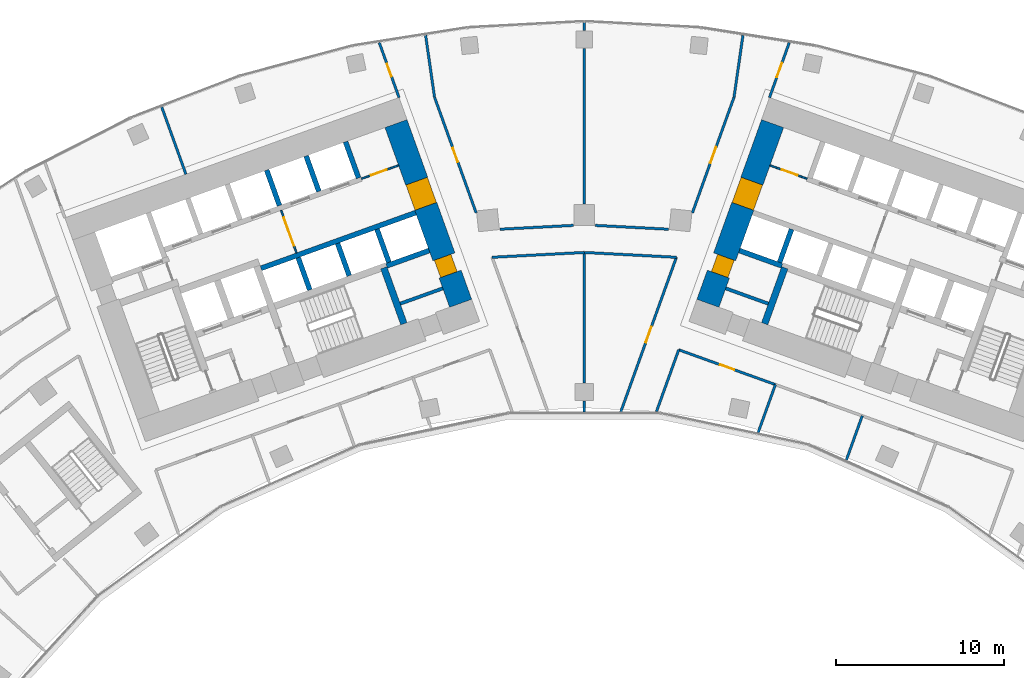
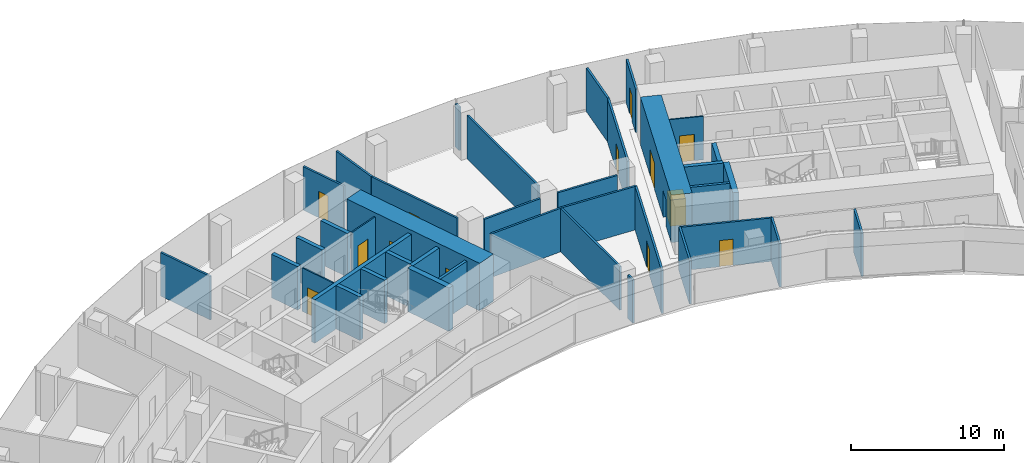
# One storey, part 15 of 20: 39 walls, 13 doors, 13 openings.
"""IFC4 building model written with IfcOpenShell, lengths in metres."""

from ifc_helpers import new_model, si_unit, direction, frame, frame_2d, origin, place, context, subcontext, project, spatial, rectangle, extrude, material, layer, layer_set, type_object, element, fill, save


model = new_model("IFC4")

# Units and contexts
model_context = context("Model", 3, precision=1e-05, world=origin(), true_north=direction((0.0, 1.0)))
body_context = subcontext(model_context, "Body", "Model", "MODEL_VIEW")
ifc_project = project(units=[si_unit("LENGTHUNIT", "METRE"), si_unit("AREAUNIT", "SQUARE_METRE"), si_unit("VOLUMEUNIT", "CUBIC_METRE"), si_unit("PLANEANGLEUNIT", "RADIAN"), si_unit("MASSUNIT", "GRAM", prefix="KILO")], contexts=[model_context])

# Site, building, storey
site_placement = place(None, origin())
site = spatial("IfcSite", under=ifc_project, at=site_placement, CompositionType="ELEMENT")
building_placement = place(site_placement, origin())
building = spatial("IfcBuilding", under=site, at=building_placement, Name="Stone Belt Terrace Tower", CompositionType="ELEMENT")
storey_placement = place(building_placement, frame((0.0, 0.0, 147.800048828125)))
storey = spatial("IfcBuildingStorey", under=building, at=storey_placement, Name="L35", CompositionType="ELEMENT", Elevation=147.800048828125)

# Wall, opening, door
ifc_material_1 = material(Name="Plasterboard partition")
ifc_layer_1 = layer(ifc_material_1, 0.10009765625)
ifc_layer_set_1 = layer_set([ifc_layer_1], Name="Core partition 100")
wall_type_1 = type_object("IfcWallType", Name="Core partition 100", PredefinedType="PARTITIONING", material=ifc_layer_set_1)
wall_1_placement = place(storey_placement, frame((-17.17724609375, 52.749755859375, 0.0), z_axis=(0.0, 0.0, 1.0), x_axis=(-0.338546555931, 0.940949642365, 0.0)))
wall_1 = element("IfcWall", 1, at=wall_1_placement, inside=storey, type_object=wall_type_1, Name="Core A wall", PredefinedType="PARTITIONING", context=body_context, shape_type="SweptSolid", body=[
    extrude(rectangle(XDim=2.699951171875, YDim=0.10009765625, at=frame_2d((1.35009765625, 0.0))), origin(), (0.0, 0.0, 1.0), 3.47998046875),
])
opening_1_placement = place(wall_1_placement, frame((0.449951171875, 0.0, 0.0)))
opening_1 = element("IfcOpeningElement", 2, at=opening_1_placement, cuts=wall_1, Name="Opening L35-C04", PredefinedType="OPENING", context=body_context, shape_type="SweptSolid", body=[
    extrude(rectangle(XDim=1.800048828125, YDim=2.10009765625, at=frame_2d((0.89990234375, 1.050048828125))), frame((0.0, 0.06005859375, 0.0), z_axis=(0.0, -1.0, 0.0), x_axis=(1.0, 0.0, 0.0)), (0.0, 0.0, 1.0), 0.1201171875),
])
ifc_material_2 = material(Name="Glazed aluminium door leaf", Category="aluminium")
door_type_1 = type_object("IfcDoorType", Name="Lift lobby entrance door 1800", OperationType="DOUBLE_DOOR_SINGLE_SWING", PredefinedType="DOOR", material=ifc_material_2)
door_1_placement = place(opening_1_placement, origin())
door_1 = element("IfcDoor", 3, at=door_1_placement, inside=storey, type_object=door_type_1, Name="Lift lobby double door core A", OperationType="DOUBLE_DOOR_SINGLE_SWING", OverallHeight=2.10009765625, OverallWidth=1.800048828125, PredefinedType="DOOR", context=body_context, shape_type="SweptSolid", body=[
    extrude(rectangle(XDim=1.800048828125, YDim=2.10009765625, at=frame_2d((0.89990234375, 1.050048828125))), frame((0.0, 0.02490234375, 0.0), z_axis=(0.0, -1.0, 0.0), x_axis=(1.0, 0.0, 0.0)), (0.0, 0.0, 1.0), 0.050048828125),
])
fill(opening_1, door_1)

wall_2_placement = place(storey_placement, frame((-13.29638671875, 57.17529296875, 0.0), z_axis=(0.0, 0.0, 1.0), x_axis=(0.940904627055, 0.338671644496, 0.0)))
wall_2 = element("IfcWall", 4, at=wall_2_placement, inside=storey, type_object=wall_type_1, Name="Core A wall", PredefinedType="PARTITIONING", context=body_context, shape_type="SweptSolid", body=[
    extrude(rectangle(XDim=2.35009765625, YDim=0.10009765625, at=frame_2d((1.175048828125, 0.0))), origin(), (0.0, 0.0, 1.0), 3.47998046875),
])
opening_2_placement = place(wall_2_placement, frame((0.60009765625, 0.0, 0.0)))
opening_2 = element("IfcOpeningElement", 5, at=opening_2_placement, cuts=wall_2, Name="Opening L35-C01", PredefinedType="OPENING", context=body_context, shape_type="SweptSolid", body=[
    extrude(rectangle(XDim=1.0, YDim=2.10009765625, at=frame_2d((0.5, 1.050048828125))), frame((0.0, 0.06005859375, 0.0), z_axis=(0.0, -1.0, 0.0), x_axis=(1.0, 0.0, 0.0)), (0.0, 0.0, 1.0), 0.1201171875),
])
ifc_material_3 = material(Name="Timber door leaf", Category="wood")
door_type_2 = type_object("IfcDoorType", Name="Core room door 1000", OperationType="SINGLE_SWING_LEFT", PredefinedType="DOOR", material=ifc_material_3)
door_2_placement = place(opening_2_placement, origin())
door_2 = element("IfcDoor", 6, at=door_2_placement, inside=storey, type_object=door_type_2, Name="Door to Ventilation plant room core A", OperationType="SINGLE_SWING_LEFT", OverallHeight=2.10009765625, OverallWidth=1.0, PredefinedType="DOOR", context=body_context, shape_type="SweptSolid", body=[
    extrude(rectangle(XDim=1.0, YDim=2.10009765625, at=frame_2d((0.5, 1.050048828125))), frame((0.0, 0.02490234375, 0.0), z_axis=(0.0, -1.0, 0.0), x_axis=(1.0, 0.0, 0.0)), (0.0, 0.0, 1.0), 0.050048828125),
])
fill(opening_2, door_2)

wall_3_placement = place(storey_placement, frame((13.29638671875, 57.17529296875, 0.0), z_axis=(0.0, 0.0, 1.0), x_axis=(-0.940904627055, 0.338671644496, 0.0)))
wall_3 = element("IfcWall", 7, at=wall_3_placement, inside=storey, type_object=wall_type_1, Name="Core B wall", PredefinedType="PARTITIONING", context=body_context, shape_type="SweptSolid", body=[
    extrude(rectangle(XDim=2.35009765625, YDim=0.10009765625, at=frame_2d((1.175048828125, 0.0))), origin(), (0.0, 0.0, 1.0), 3.47998046875),
])
opening_3_placement = place(wall_3_placement, frame((0.60009765625, 0.0, 0.0)))
opening_3 = element("IfcOpeningElement", 8, at=opening_3_placement, cuts=wall_3, Name="Opening L35-C13", PredefinedType="OPENING", context=body_context, shape_type="SweptSolid", body=[
    extrude(rectangle(XDim=1.0, YDim=2.10009765625, at=frame_2d((0.5, 1.050048828125))), frame((0.0, 0.06005859375, 0.0), z_axis=(0.0, -1.0, 0.0), x_axis=(1.0, 0.0, 0.0)), (0.0, 0.0, 1.0), 0.1201171875),
])
door_3_placement = place(opening_3_placement, origin())
door_3 = element("IfcDoor", 9, at=door_3_placement, inside=storey, type_object=door_type_2, Name="Door to Ventilation plant room core B", OperationType="SINGLE_SWING_RIGHT", OverallHeight=2.10009765625, OverallWidth=1.0, PredefinedType="DOOR", context=body_context, shape_type="SweptSolid", body=[
    extrude(rectangle(XDim=1.0, YDim=2.10009765625, at=frame_2d((0.5, 1.050048828125))), frame((0.0, 0.02490234375, 0.0), z_axis=(0.0, -1.0, 0.0), x_axis=(1.0, 0.0, 0.0)), (0.0, 0.0, 1.0), 0.050048828125),
])
fill(opening_3, door_3)

# Wall, openings, doors
ifc_material_4 = material(Name="Concrete B80", Category="concrete")
ifc_layer_2 = layer(ifc_material_4, 1.39990234375)
ifc_layer_set_2 = layer_set([ifc_layer_2], Name="Core wall 1400 B80")
wall_type_2 = type_object("IfcWallType", Name="Core wall 1400 B80", PredefinedType="SHEAR", material=ifc_layer_set_2)
wall_4_placement = place(storey_placement, frame((-7.379150390625, 49.73974609375, 0.0), z_axis=(0.0, 0.0, 1.0), x_axis=(-0.338625431531, 0.940921259788, 0.0)))
wall_4 = element("IfcWall", 10, at=wall_4_placement, inside=storey, type_object=wall_type_2, Name="Core A wall end_b L35", PredefinedType="SHEAR", context=body_context, shape_type="SweptSolid", body=[
    extrude(rectangle(XDim=11.400146484375, YDim=1.39990234375, at=frame_2d((5.7001953125, 0.0))), origin(), (0.0, 0.0, 1.0), 3.800048828125),
])
opening_4_placement = place(wall_4_placement, frame((6.14990234375, 0.0, 0.0)))
opening_4 = element("IfcOpeningElement", 11, at=opening_4_placement, cuts=wall_4, Name="Opening L35-C05", PredefinedType="OPENING", context=body_context, shape_type="SweptSolid", body=[
    extrude(rectangle(XDim=1.60009765625, YDim=2.10009765625, at=frame_2d((0.800048828125, 1.050048828125))), frame((0.0, 0.7099609375, 0.0), z_axis=(0.0, -1.0, 0.0), x_axis=(1.0, 0.0, 0.0)), (0.0, 0.0, 1.0), 1.419921875),
])
opening_5_placement = place(wall_4_placement, frame((1.85009765625, 0.0, 0.0)))
opening_5 = element("IfcOpeningElement", 12, at=opening_5_placement, cuts=wall_4, Name="Opening L35-C11", PredefinedType="OPENING", context=body_context, shape_type="SweptSolid", body=[
    extrude(rectangle(XDim=1.10009765625, YDim=2.10009765625, at=frame_2d((0.550048828125, 1.050048828125))), frame((0.0, 0.7099609375, 0.0), z_axis=(0.0, -1.0, 0.0), x_axis=(1.0, 0.0, 0.0)), (0.0, 0.0, 1.0), 1.419921875),
])
door_type_3 = type_object("IfcDoorType", Name="Core room door 1100", OperationType="SINGLE_SWING_LEFT", PredefinedType="DOOR", material=ifc_material_3)
door_4_placement = place(opening_5_placement, origin())
door_4 = element("IfcDoor", 13, at=door_4_placement, inside=storey, type_object=door_type_3, Name="Door to Accessible WC core A", OperationType="SINGLE_SWING_RIGHT", OverallHeight=2.10009765625, OverallWidth=1.10009765625, PredefinedType="DOOR", context=body_context, shape_type="SweptSolid", body=[
    extrude(rectangle(XDim=1.10009765625, YDim=2.10009765625, at=frame_2d((0.550048828125, 1.050048828125))), frame((0.0, 0.60498046875, 0.0), z_axis=(0.0, -1.0, 0.0), x_axis=(1.0, 0.0, 0.0)), (0.0, 0.0, 1.0), 1.050048828125),
])
fill(opening_5, door_4)
door_type_4 = type_object("IfcDoorType", Name="Lift lobby entrance door 1600", OperationType="DOUBLE_DOOR_SINGLE_SWING", PredefinedType="DOOR", material=ifc_material_2)
door_5_placement = place(opening_4_placement, origin())
door_5 = element("IfcDoor", 14, at=door_5_placement, inside=storey, type_object=door_type_4, Name="Lift lobby entrance door core A", OperationType="DOUBLE_DOOR_SINGLE_SWING", OverallHeight=2.10009765625, OverallWidth=1.60009765625, PredefinedType="DOOR", context=body_context, shape_type="SweptSolid", body=[
    extrude(rectangle(XDim=1.60009765625, YDim=2.10009765625, at=frame_2d((0.800048828125, 1.050048828125))), frame((0.0, 0.68017578125, 0.0), z_axis=(0.0, -1.0, 0.0), x_axis=(1.0, 0.0, 0.0)), (0.0, 0.0, 1.0), 1.360107421875),
])
fill(opening_4, door_5)

wall_5_placement = place(storey_placement, frame((7.379150390625, 49.73974609375, 0.0), z_axis=(0.0, 0.0, 1.0), x_axis=(0.338625431531, 0.940921259788, 0.0)))
wall_5 = element("IfcWall", 15, at=wall_5_placement, inside=storey, type_object=wall_type_2, Name="Core B wall end_a L35", PredefinedType="SHEAR", context=body_context, shape_type="SweptSolid", body=[
    extrude(rectangle(XDim=11.400146484375, YDim=1.39990234375, at=frame_2d((5.7001953125, 0.0))), origin(), (0.0, 0.0, 1.0), 3.800048828125),
])
opening_6_placement = place(wall_5_placement, frame((6.14990234375, 0.0, 0.0)))
opening_6 = element("IfcOpeningElement", 16, at=opening_6_placement, cuts=wall_5, Name="Opening L35-C17", PredefinedType="OPENING", context=body_context, shape_type="SweptSolid", body=[
    extrude(rectangle(XDim=1.60009765625, YDim=2.10009765625, at=frame_2d((0.800048828125, 1.050048828125))), frame((0.0, 0.7099609375, 0.0), z_axis=(0.0, -1.0, 0.0), x_axis=(1.0, 0.0, 0.0)), (0.0, 0.0, 1.0), 1.419921875),
])
opening_7_placement = place(wall_5_placement, frame((1.85009765625, 0.0, 0.0)))
opening_7 = element("IfcOpeningElement", 17, at=opening_7_placement, cuts=wall_5, Name="Opening L35-C23", PredefinedType="OPENING", context=body_context, shape_type="SweptSolid", body=[
    extrude(rectangle(XDim=1.10009765625, YDim=2.10009765625, at=frame_2d((0.550048828125, 1.050048828125))), frame((0.0, 0.7099609375, 0.0), z_axis=(0.0, -1.0, 0.0), x_axis=(1.0, 0.0, 0.0)), (0.0, 0.0, 1.0), 1.419921875),
])
door_6_placement = place(opening_7_placement, origin())
door_6 = element("IfcDoor", 18, at=door_6_placement, inside=storey, type_object=door_type_3, Name="Door to Accessible WC core B", OperationType="SINGLE_SWING_LEFT", OverallHeight=2.10009765625, OverallWidth=1.10009765625, PredefinedType="DOOR", context=body_context, shape_type="SweptSolid", body=[
    extrude(rectangle(XDim=1.10009765625, YDim=2.10009765625, at=frame_2d((0.550048828125, 1.050048828125))), frame((0.0, 0.44482421875, 0.0), z_axis=(0.0, -1.0, 0.0), x_axis=(1.0, 0.0, 0.0)), (0.0, 0.0, 1.0), 1.050048828125),
])
fill(opening_7, door_6)
door_7_placement = place(opening_6_placement, origin())
door_7 = element("IfcDoor", 19, at=door_7_placement, inside=storey, type_object=door_type_4, Name="Lift lobby entrance door core B", OperationType="DOUBLE_DOOR_SINGLE_SWING", OverallHeight=2.10009765625, OverallWidth=1.60009765625, PredefinedType="DOOR", context=body_context, shape_type="SweptSolid", body=[
    extrude(rectangle(XDim=1.60009765625, YDim=2.10009765625, at=frame_2d((0.800048828125, 1.050048828125))), frame((0.0, 0.68017578125, 0.0), z_axis=(0.0, -1.0, 0.0), x_axis=(1.0, 0.0, 0.0)), (0.0, 0.0, 1.0), 1.360107421875),
])
fill(opening_6, door_7)

# Walls
ifc_layer_3 = layer(ifc_material_4, 0.300048828125)
ifc_layer_set_3 = layer_set([ifc_layer_3], Name="Lift shaft wall 300")
wall_type_3 = type_object("IfcWallType", Name="Lift shaft wall 300", PredefinedType="SHEAR", material=ifc_layer_set_3)
wall_6_placement = place(storey_placement, frame((-19.29052734375, 51.829833984375, 0.0), z_axis=(0.0, 0.0, 1.0), x_axis=(0.940925833398, 0.338612722803, 0.0)))
element("IfcWall", 20, at=wall_6_placement, inside=storey, type_object=wall_type_3, Name="Core A wall", PredefinedType="SHEAR", context=body_context, shape_type="SweptSolid", body=[
    extrude(rectangle(XDim=9.7998046875, YDim=0.300048828125, at=frame_2d((4.89990234375, 0.0))), origin(), (0.0, 0.0, 1.0), 3.47998046875),
])
wall_7_placement = place(storey_placement, frame((-16.38134765625, 50.53857421875, 0.0), z_axis=(0.0, 0.0, 1.0), x_axis=(-0.338681515556, 0.940901073982, 0.0)))
element("IfcWall", 21, at=wall_7_placement, inside=storey, type_object=wall_type_3, Name="Core A wall", PredefinedType="SHEAR", context=body_context, shape_type="SweptSolid", body=[
    extrude(rectangle(XDim=2.050048828125, YDim=0.300048828125, at=frame_2d((1.02490234375, 0.0))), origin(), (0.0, 0.0, 1.0), 3.47998046875),
])
wall_8_placement = place(storey_placement, frame((-18.193115234375, 55.572509765625, 0.0), z_axis=(0.0, 0.0, 1.0), x_axis=(-0.338535034312, 0.940953787677, 0.0)))
element("IfcWall", 22, at=wall_8_placement, inside=storey, type_object=wall_type_3, Name="Core A wall", PredefinedType="SHEAR", context=body_context, shape_type="SweptSolid", body=[
    extrude(rectangle(XDim=2.25, YDim=0.300048828125, at=frame_2d((1.125, 0.0))), origin(), (0.0, 0.0, 1.0), 3.47998046875),
])
wall_9_placement = place(storey_placement, frame((-14.029052734375, 51.38525390625, 0.0), z_axis=(0.0, 0.0, 1.0), x_axis=(-0.338681515556, 0.940901073982, 0.0)))
element("IfcWall", 23, at=wall_9_placement, inside=storey, type_object=wall_type_3, Name="Core A wall", PredefinedType="SHEAR", context=body_context, shape_type="SweptSolid", body=[
    extrude(rectangle(XDim=2.050048828125, YDim=0.300048828125, at=frame_2d((1.02490234375, 0.0))), origin(), (0.0, 0.0, 1.0), 3.47998046875),
])
wall_10_placement = place(storey_placement, frame((-15.8408203125, 56.419189453125, 0.0), z_axis=(0.0, 0.0, 1.0), x_axis=(-0.338569601369, 0.940941350472, 0.0)))
element("IfcWall", 24, at=wall_10_placement, inside=storey, type_object=wall_type_3, Name="Core A wall", PredefinedType="SHEAR", context=body_context, shape_type="SweptSolid", body=[
    extrude(rectangle(XDim=2.249755859375, YDim=0.300048828125, at=frame_2d((1.125, 0.0))), origin(), (0.0, 0.0, 1.0), 3.47998046875),
])
wall_11_placement = place(storey_placement, frame((-11.797119140625, 51.975830078125, 0.0), z_axis=(0.0, 0.0, 1.0), x_axis=(0.940910465161, 0.33865542451, 0.0)))
element("IfcWall", 25, at=wall_11_placement, inside=storey, type_object=wall_type_3, Name="Core A wall", PredefinedType="SHEAR", context=body_context, shape_type="SweptSolid", body=[
    extrude(rectangle(XDim=2.69970703125, YDim=0.300048828125, at=frame_2d((1.349853515625, 0.0))), origin(), (0.0, 0.0, 1.0), 3.47998046875),
])
wall_12_placement = place(storey_placement, frame((-11.659912109375, 52.184814453125, 0.0), z_axis=(0.0, 0.0, 1.0), x_axis=(-0.338670064856, 0.940905195634, 0.0)))
element("IfcWall", 26, at=wall_12_placement, inside=storey, type_object=wall_type_3, Name="Core A wall", PredefinedType="SHEAR", context=body_context, shape_type="SweptSolid", body=[
    extrude(rectangle(XDim=2.099853515625, YDim=0.300048828125, at=frame_2d((1.0498046875, 0.0))), origin(), (0.0, 0.0, 1.0), 3.47998046875),
])
wall_13_placement = place(storey_placement, frame((-13.471435546875, 57.218505859375, 0.0), z_axis=(0.0, 0.0, 1.0), x_axis=(-0.338587917, 0.940934759939, 0.0)))
element("IfcWall", 27, at=wall_13_placement, inside=storey, type_object=wall_type_3, Name="Core A wall", PredefinedType="SHEAR", context=body_context, shape_type="SweptSolid", body=[
    extrude(rectangle(XDim=2.300048828125, YDim=0.300048828125, at=frame_2d((1.14990234375, 0.0))), origin(), (0.0, 0.0, 1.0), 3.47998046875),
])
wall_14_placement = place(storey_placement, frame((11.797119140625, 51.975830078125, 0.0), z_axis=(0.0, 0.0, 1.0), x_axis=(-0.940910465161, 0.33865542451, 0.0)))
element("IfcWall", 28, at=wall_14_placement, inside=storey, type_object=wall_type_3, Name="Core B wall", PredefinedType="SHEAR", context=body_context, shape_type="SweptSolid", body=[
    extrude(rectangle(XDim=2.69970703125, YDim=0.300048828125, at=frame_2d((1.349853515625, 0.0))), origin(), (0.0, 0.0, 1.0), 3.47998046875),
])
wall_15_placement = place(storey_placement, frame((11.659912109375, 52.184814453125, 0.0), z_axis=(0.0, 0.0, 1.0), x_axis=(0.338670064856, 0.940905195634, 0.0)))
element("IfcWall", 29, at=wall_15_placement, inside=storey, type_object=wall_type_3, Name="Core B wall", PredefinedType="SHEAR", context=body_context, shape_type="SweptSolid", body=[
    extrude(rectangle(XDim=2.099853515625, YDim=0.300048828125, at=frame_2d((1.0498046875, 0.0))), origin(), (0.0, 0.0, 1.0), 3.47998046875),
])

# Wall, opening, door
ifc_material_5 = material(Name="Gypsum board partition")
ifc_layer_4 = layer(ifc_material_5, 0.14990234375)
ifc_layer_set_4 = layer_set([ifc_layer_4], Name="PARTITION 150 EI 60")
wall_type_4 = type_object("IfcWallType", Name="PARTITION 150 EI 60", PredefinedType="PARTITIONING", material=ifc_layer_set_4)
wall_16_placement = place(storey_placement, frame((-11.054931640625, 62.02099609375, 0.0), z_axis=(0.0, 0.0, 1.0), x_axis=(-0.338942963923, 0.940806923448, 0.0)))
wall_16 = element("IfcWall", 30, at=wall_16_placement, inside=storey, type_object=wall_type_4, Name="L35/wall/i008", PredefinedType="PARTITIONING", context=body_context, shape_type="SweptSolid", body=[
    extrude(rectangle(XDim=3.481201171875, YDim=0.14990234375, at=frame_2d((1.74072265625, 0.0))), origin(), (0.0, 0.0, 1.0), 3.47998046875),
])
opening_8_placement = place(wall_16_placement, frame((1.340576171875, 0.0, 0.0)))
opening_8 = element("IfcOpeningElement", 31, at=opening_8_placement, cuts=wall_16, Name="Opening D-C1-06", PredefinedType="OPENING", context=body_context, shape_type="SweptSolid", body=[
    extrude(rectangle(XDim=0.800048828125, YDim=2.10009765625, at=frame_2d((0.39990234375, 1.050048828125))), frame((0.0, 0.0849609375, 0.0), z_axis=(0.0, -1.0, 0.0), x_axis=(1.0, 0.0, 0.0)), (0.0, 0.0, 1.0), 0.169921875),
])
door_type_5 = type_object("IfcDoorType", Name="STORE DOOR 800 X 2100", OperationType="NOTDEFINED", PredefinedType="DOOR", material=ifc_material_3)
door_8_placement = place(opening_8_placement, origin())
door_8 = element("IfcDoor", 32, at=door_8_placement, inside=storey, type_object=door_type_5, Name="L35/door/i06", OperationType="SINGLE_SWING_RIGHT", OverallHeight=2.10009765625, OverallWidth=0.800048828125, PredefinedType="DOOR", context=body_context, shape_type="SweptSolid", body=[
    extrude(rectangle(XDim=0.800048828125, YDim=2.10009765625, at=frame_2d((0.39990234375, 1.050048828125))), frame((0.0, 0.02490234375, 0.0), z_axis=(0.0, -1.0, 0.0), x_axis=(1.0, 0.0, 0.0)), (0.0, 0.0, 1.0), 0.050048828125),
])
fill(opening_8, door_8)

# Wall
wall_17_placement = place(storey_placement, frame((-9.47021484375, 65.736083984375, 0.0), z_axis=(0.0, 0.0, 1.0), x_axis=(0.14267653425, -0.989769370396, 0.0)))
element("IfcWall", 33, at=wall_17_placement, inside=storey, type_object=wall_type_4, Name="L35/wall/i010", PredefinedType="PARTITIONING", context=body_context, shape_type="SweptSolid", body=[
    extrude(rectangle(XDim=3.730224609375, YDim=0.14990234375, at=frame_2d((1.865234375, 0.0))), origin(), (0.0, 0.0, 1.0), 3.47998046875),
])

# Wall, opening, door
wall_18_placement = place(storey_placement, frame((-8.93798828125, 62.04296875, 0.0), z_axis=(0.0, 0.0, 1.0), x_axis=(0.338603971116, -0.940928982838, 0.0)))
wall_18 = element("IfcWall", 34, at=wall_18_placement, inside=storey, type_object=wall_type_4, Name="L35/wall/i011", PredefinedType="PARTITIONING", context=body_context, shape_type="SweptSolid", body=[
    extrude(rectangle(XDim=7.335693359375, YDim=0.14990234375, at=frame_2d((3.66796875, 0.0))), origin(), (0.0, 0.0, 1.0), 3.47998046875),
])
opening_9_placement = place(wall_18_placement, frame((3.218017578125, 0.0, 0.0)))
opening_9 = element("IfcOpeningElement", 35, at=opening_9_placement, cuts=wall_18, Name="Opening D-C1-28", PredefinedType="OPENING", context=body_context, shape_type="SweptSolid", body=[
    extrude(rectangle(XDim=0.89990234375, YDim=2.10009765625, at=frame_2d((0.449951171875, 1.050048828125))), frame((0.0, 0.0849609375, 0.0), z_axis=(0.0, -1.0, 0.0), x_axis=(1.0, 0.0, 0.0)), (0.0, 0.0, 1.0), 0.169921875),
])
door_type_6 = type_object("IfcDoorType", Name="OFFICE DOOR 900 X 2100", OperationType="NOTDEFINED", PredefinedType="DOOR", material=ifc_material_3)
door_9_placement = place(opening_9_placement, origin())
door_9 = element("IfcDoor", 36, at=door_9_placement, inside=storey, type_object=door_type_6, Name="L35/door/i28", OperationType="SINGLE_SWING_RIGHT", OverallHeight=2.10009765625, OverallWidth=0.89990234375, PredefinedType="DOOR", context=body_context, shape_type="SweptSolid", body=[
    extrude(rectangle(XDim=0.89990234375, YDim=2.10009765625, at=frame_2d((0.449951171875, 1.050048828125))), frame((0.0, 0.02490234375, 0.0), z_axis=(0.0, -1.0, 0.0), x_axis=(1.0, 0.0, 0.0)), (0.0, 0.0, 1.0), 0.050048828125),
])
fill(opening_9, door_9)

# Walls
wall_19_placement = place(storey_placement, frame((-25.21875, 61.4521484375, 0.0), z_axis=(0.0, 0.0, 1.0), x_axis=(0.338640335261, -0.940915895994, 0.0)))
element("IfcWall", 37, at=wall_19_placement, inside=storey, type_object=wall_type_4, Name="L35/wall/i020", PredefinedType="PARTITIONING", context=body_context, shape_type="SweptSolid", body=[
    extrude(rectangle(XDim=4.2607421875, YDim=0.14990234375, at=frame_2d((2.13037109375, 0.0))), origin(), (0.0, 0.0, 1.0), 3.47998046875),
])
wall_20_placement = place(storey_placement, frame((5.638916015625, 46.971923828125, 0.0), z_axis=(0.0, 0.0, 1.0), x_axis=(-0.338569683937, -0.940941320763, 0.0)))
element("IfcWall", 38, at=wall_20_placement, inside=storey, type_object=wall_type_4, Name="L35/wall/i021", PredefinedType="PARTITIONING", context=body_context, shape_type="SweptSolid", body=[
    extrude(rectangle(XDim=3.9248046875, YDim=0.14990234375, at=frame_2d((1.96240234375, 0.0))), origin(), (0.0, 0.0, 1.0), 3.47998046875),
])

# Wall, opening, door
wall_21_placement = place(storey_placement, frame((12.23486328125, 65.296142578125, 0.0), z_axis=(0.0, 0.0, 1.0), x_axis=(-0.338942963923, -0.940806923448, 0.0)))
wall_21 = element("IfcWall", 39, at=wall_21_placement, inside=storey, type_object=wall_type_4, Name="L35/wall/i022", PredefinedType="PARTITIONING", context=body_context, shape_type="SweptSolid", body=[
    extrude(rectangle(XDim=3.481201171875, YDim=0.14990234375, at=frame_2d((1.74072265625, 0.0))), origin(), (0.0, 0.0, 1.0), 3.47998046875),
])
opening_10_placement = place(wall_21_placement, frame((1.29052734375, 0.0, 0.0)))
opening_10 = element("IfcOpeningElement", 40, at=opening_10_placement, cuts=wall_21, Name="Opening D-C1-11", PredefinedType="OPENING", context=body_context, shape_type="SweptSolid", body=[
    extrude(rectangle(XDim=0.89990234375, YDim=2.10009765625, at=frame_2d((0.449951171875, 1.050048828125))), frame((0.0, 0.0849609375, 0.0), z_axis=(0.0, -1.0, 0.0), x_axis=(1.0, 0.0, 0.0)), (0.0, 0.0, 1.0), 0.169921875),
])
door_10_placement = place(opening_10_placement, origin())
door_10 = element("IfcDoor", 41, at=door_10_placement, inside=storey, type_object=door_type_6, Name="L35/door/i11", OperationType="SINGLE_SWING_RIGHT", OverallHeight=2.10009765625, OverallWidth=0.89990234375, PredefinedType="DOOR", context=body_context, shape_type="SweptSolid", body=[
    extrude(rectangle(XDim=0.89990234375, YDim=2.10009765625, at=frame_2d((0.449951171875, 1.050048828125))), frame((0.0, 0.02490234375, 0.0), z_axis=(0.0, -1.0, 0.0), x_axis=(1.0, 0.0, 0.0)), (0.0, 0.0, 1.0), 0.050048828125),
])
fill(opening_10, door_10)

wall_22_placement = place(storey_placement, frame((2.178466796875, 43.26171875, 0.0), z_axis=(0.0, 0.0, 1.0), x_axis=(0.338654259988, 0.940910884299, 0.0)))
wall_22 = element("IfcWall", 42, at=wall_22_placement, inside=storey, type_object=wall_type_4, Name="L35/wall/i023", PredefinedType="PARTITIONING", context=body_context, shape_type="SweptSolid", body=[
    extrude(rectangle(XDim=9.81103515625, YDim=0.14990234375, at=frame_2d((4.905517578125, 0.0))), origin(), (0.0, 0.0, 1.0), 3.47998046875),
])
opening_11_placement = place(wall_22_placement, frame((4.405517578125, 0.0, 0.0)))
opening_11 = element("IfcOpeningElement", 43, at=opening_11_placement, cuts=wall_22, Name="Opening D-C1-27", PredefinedType="OPENING", context=body_context, shape_type="SweptSolid", body=[
    extrude(rectangle(XDim=1.0, YDim=2.10009765625, at=frame_2d((0.5, 1.050048828125))), frame((0.0, 0.0849609375, 0.0), z_axis=(0.0, -1.0, 0.0), x_axis=(1.0, 0.0, 0.0)), (0.0, 0.0, 1.0), 0.169921875),
])
ifc_material_6 = material(Name="Timber fire door leaf", Category="wood")
door_type_7 = type_object("IfcDoorType", Name="TENANCY ENTRANCE DOOR 1000 X 2100", OperationType="NOTDEFINED", PredefinedType="DOOR", material=ifc_material_6)
door_11_placement = place(opening_11_placement, origin())
door_11 = element("IfcDoor", 44, at=door_11_placement, inside=storey, type_object=door_type_7, Name="L35/door/i27", OperationType="SINGLE_SWING_LEFT", OverallHeight=2.10009765625, OverallWidth=1.0, PredefinedType="DOOR", context=body_context, shape_type="SweptSolid", body=[
    extrude(rectangle(XDim=1.0, YDim=2.10009765625, at=frame_2d((0.5, 1.050048828125))), frame((0.0, 0.02490234375, 0.0), z_axis=(0.0, -1.0, 0.0), x_axis=(1.0, 0.0, 0.0)), (0.0, 0.0, 1.0), 0.050048828125),
])
fill(opening_11, door_11)

wall_23_placement = place(storey_placement, frame((6.4541015625, 55.140625, 0.0), z_axis=(0.0, 0.0, 1.0), x_axis=(0.338603971116, 0.940928982838, 0.0)))
wall_23 = element("IfcWall", 45, at=wall_23_placement, inside=storey, type_object=wall_type_4, Name="L35/wall/i024", PredefinedType="PARTITIONING", context=body_context, shape_type="SweptSolid", body=[
    extrude(rectangle(XDim=7.335693359375, YDim=0.14990234375, at=frame_2d((3.66796875, 0.0))), origin(), (0.0, 0.0, 1.0), 3.47998046875),
])
opening_12_placement = place(wall_23_placement, frame((3.16796875, 0.0, 0.0)))
opening_12 = element("IfcOpeningElement", 46, at=opening_12_placement, cuts=wall_23, Name="Opening D-C1-29", PredefinedType="OPENING", context=body_context, shape_type="SweptSolid", body=[
    extrude(rectangle(XDim=1.0, YDim=2.10009765625, at=frame_2d((0.5, 1.050048828125))), frame((0.0, 0.0849609375, 0.0), z_axis=(0.0, -1.0, 0.0), x_axis=(1.0, 0.0, 0.0)), (0.0, 0.0, 1.0), 0.169921875),
])
door_12_placement = place(opening_12_placement, origin())
door_12 = element("IfcDoor", 47, at=door_12_placement, inside=storey, type_object=door_type_7, Name="L35/door/i29", OperationType="SINGLE_SWING_RIGHT", OverallHeight=2.10009765625, OverallWidth=1.0, PredefinedType="DOOR", context=body_context, shape_type="SweptSolid", body=[
    extrude(rectangle(XDim=1.0, YDim=2.10009765625, at=frame_2d((0.5, 1.050048828125))), frame((0.0, 0.02490234375, 0.0), z_axis=(0.0, -1.0, 0.0), x_axis=(1.0, 0.0, 0.0)), (0.0, 0.0, 1.0), 0.050048828125),
])
fill(opening_12, door_12)

# Wall
wall_24_placement = place(storey_placement, frame((8.93798828125, 62.0439453125, 0.0), z_axis=(0.0, 0.0, 1.0), x_axis=(0.14267653425, 0.989769370396, 0.0)))
element("IfcWall", 48, at=wall_24_placement, inside=storey, type_object=wall_type_4, Name="L35/wall/i025", PredefinedType="PARTITIONING", context=body_context, shape_type="SweptSolid", body=[
    extrude(rectangle(XDim=3.730224609375, YDim=0.14990234375, at=frame_2d((1.865234375, 0.0))), origin(), (0.0, 0.0, 1.0), 3.47998046875),
])

# Wall, opening, door
wall_25_placement = place(storey_placement, frame((11.4140625, 44.886962890625, 0.0), z_axis=(0.0, 0.0, 1.0), x_axis=(-0.940921369365, 0.338625127055, 0.0)))
wall_25 = element("IfcWall", 49, at=wall_25_placement, inside=storey, type_object=wall_type_4, Name="L35/wall/i032", PredefinedType="PARTITIONING", context=body_context, shape_type="SweptSolid", body=[
    extrude(rectangle(XDim=6.139892578125, YDim=0.14990234375, at=frame_2d((3.06982421875, 0.0))), origin(), (0.0, 0.0, 1.0), 3.47998046875),
])
opening_13_placement = place(wall_25_placement, frame((2.619873046875, 0.0, 0.0)))
opening_13 = element("IfcOpeningElement", 50, at=opening_13_placement, cuts=wall_25, Name="Opening D-C1-07", PredefinedType="OPENING", context=body_context, shape_type="SweptSolid", body=[
    extrude(rectangle(XDim=0.89990234375, YDim=2.10009765625, at=frame_2d((0.449951171875, 1.050048828125))), frame((0.0, 0.0849609375, 0.0), z_axis=(0.0, -1.0, 0.0), x_axis=(1.0, 0.0, 0.0)), (0.0, 0.0, 1.0), 0.169921875),
])
door_13_placement = place(opening_13_placement, origin())
door_13 = element("IfcDoor", 51, at=door_13_placement, inside=storey, type_object=door_type_6, Name="L35/door/i07", OperationType="SINGLE_SWING_RIGHT", OverallHeight=2.10009765625, OverallWidth=0.89990234375, PredefinedType="DOOR", context=body_context, shape_type="SweptSolid", body=[
    extrude(rectangle(XDim=0.89990234375, YDim=2.10009765625, at=frame_2d((0.449951171875, 1.050048828125))), frame((0.0, 0.02490234375, 0.0), z_axis=(0.0, -1.0, 0.0), x_axis=(1.0, 0.0, 0.0)), (0.0, 0.0, 1.0), 0.050048828125),
])
fill(opening_13, door_13)

# Walls
wall_26_placement = place(storey_placement, frame((11.407958984375, 44.888916015625, 0.0), z_axis=(0.0, 0.0, 1.0), x_axis=(-0.338691088302, -0.940897628175, 0.0)))
element("IfcWall", 52, at=wall_26_placement, inside=storey, type_object=wall_type_4, Name="L35/wall/i036", PredefinedType="PARTITIONING", context=body_context, shape_type="SweptSolid", body=[
    extrude(rectangle(XDim=3.046142578125, YDim=0.14990234375, at=frame_2d((1.52294921875, 0.0))), origin(), (0.0, 0.0, 1.0), 3.47998046875),
])
wall_27_placement = place(storey_placement, frame((16.591064453125, 43.02392578125, 0.0), z_axis=(0.0, 0.0, 1.0), x_axis=(-0.338673128316, -0.940904092964, 0.0)))
element("IfcWall", 53, at=wall_27_placement, inside=storey, type_object=wall_type_4, Name="L35/wall/i037", PredefinedType="PARTITIONING", context=body_context, shape_type="SweptSolid", body=[
    extrude(rectangle(XDim=2.79833984375, YDim=0.14990234375, at=frame_2d((1.399169921875, 0.0))), origin(), (0.0, 0.0, 1.0), 3.47998046875),
])
for number, where, z_axis, x_axis, name in (
    (54, (0.0, 52.77490234375, 0.0), (0.0, 0.0, 1.0), (-0.998632852887, -0.052272604047, 0.0), "L35/wall/i080"),
    (55, (5.4990234375, 52.487060546875, 0.0), (0.0, 0.0, 1.0), (-0.998632852887, 0.052272604047, 0.0), "L35/wall/i081"),
):
    element("IfcWall", number, at=place(storey_placement, frame(where, z_axis=z_axis, x_axis=x_axis)), inside=storey, type_object=wall_type_4, Name=name, PredefinedType="PARTITIONING", context=body_context, shape_type="SweptSolid", body=[
        extrude(rectangle(XDim=5.506591796875, YDim=0.14990234375, at=frame_2d((2.75341796875, 0.0))), origin(), (0.0, 0.0, 1.0), 3.47998046875),
    ])
for number, where, z_axis, x_axis, name in (
    (56, (-5.033935546875, 54.161376953125, 0.0), (0.0, 0.0, 1.0), (0.998632402253, 0.052281212406, 0.0), "L35/wall/i082"),
    (57, (0.655029296875, 54.390625, 0.0), (0.0, 0.0, 1.0), (0.998632402253, -0.052281212406, 0.0), "L35/wall/i083"),
):
    element("IfcWall", number, at=place(storey_placement, frame(where, z_axis=z_axis, x_axis=x_axis)), inside=storey, type_object=wall_type_4, Name=name, PredefinedType="PARTITIONING", context=body_context, shape_type="SweptSolid", body=[
        extrude(rectangle(XDim=4.385009765625, YDim=0.14990234375, at=frame_2d((2.1923828125, 0.0))), origin(), (0.0, 0.0, 1.0), 3.47998046875),
    ])
wall_28_placement = place(storey_placement, frame((0.0, 52.77490234375, 0.0), z_axis=(0.0, 0.0, 1.0), x_axis=(0.0, -1.0, 0.0)))
element("IfcWall", 58, at=wall_28_placement, inside=storey, type_object=wall_type_4, Name="L35/wall/i084", PredefinedType="PARTITIONING", context=body_context, shape_type="SweptSolid", body=[
    extrude(rectangle(XDim=7.7998046875, YDim=0.14990234375, at=frame_2d((3.89990234375, 0.0))), origin(), (0.0, 0.0, 1.0), 3.47998046875),
])
wall_29_placement = place(storey_placement, frame((0.0, 43.9150390625, 0.0), z_axis=(0.0, 0.0, 1.0), x_axis=(0.0, -1.0, 0.0)))
element("IfcWall", 59, at=wall_29_placement, inside=storey, type_object=wall_type_4, Name="L35/wall/i085", PredefinedType="PARTITIONING", context=body_context, shape_type="SweptSolid", body=[
    extrude(rectangle(XDim=0.6533203125, YDim=0.14990234375, at=frame_2d((0.32666015625, 0.0))), origin(), (0.0, 0.0, 1.0), 3.47998046875),
])
wall_30_placement = place(storey_placement, frame((0.0, 66.5, 0.0), z_axis=(0.0, 0.0, 1.0), x_axis=(0.0, -1.0, 0.0)))
element("IfcWall", 60, at=wall_30_placement, inside=storey, type_object=wall_type_4, Name="L35/wall/i086", PredefinedType="PARTITIONING", context=body_context, shape_type="SweptSolid", body=[
    extrude(rectangle(XDim=0.481201171875, YDim=0.14990234375, at=frame_2d((0.24072265625, 0.0))), origin(), (0.0, 0.0, 1.0), 3.47998046875),
])
wall_31_placement = place(storey_placement, frame((0.0, 64.958984375, 0.0), z_axis=(0.0, 0.0, 1.0), x_axis=(0.0, -1.0, 0.0)))
element("IfcWall", 61, at=wall_31_placement, inside=storey, type_object=wall_type_4, Name="L35/wall/i087", PredefinedType="PARTITIONING", context=body_context, shape_type="SweptSolid", body=[
    extrude(rectangle(XDim=9.303955078125, YDim=0.14990234375, at=frame_2d((4.65185546875, 0.0))), origin(), (0.0, 0.0, 1.0), 3.47998046875),
])
ifc_material_7 = material(Name="Concrete masonry block", Category="masonry")
ifc_layer_5 = layer(ifc_material_7, 0.199951171875)
ifc_layer_set_5 = layer_set([ifc_layer_5], Name="Rated lobby wall 200")
wall_type_5 = type_object("IfcWallType", Name="Rated lobby wall 200", PredefinedType="PARTITIONING", material=ifc_layer_set_5)
for number, where, z_axis, x_axis, name in (
    (62, (-10.984619140625, 49.717529296875, 0.0), (0.0, 0.0, 1.0), (0.940920834877, 0.338626612206, 0.0), "Core A wall"),
    (63, (10.984619140625, 49.717529296875, 0.0), (0.0, 0.0, 1.0), (-0.940920834877, 0.338626612206, 0.0), "Core B wall"),
):
    element("IfcWall", number, at=place(storey_placement, frame(where, z_axis=z_axis, x_axis=x_axis)), inside=storey, type_object=wall_type_5, Name=name, PredefinedType="PARTITIONING", context=body_context, shape_type="SweptSolid", body=[
        extrude(rectangle(XDim=2.699951171875, YDim=0.199951171875, at=frame_2d((1.35009765625, 0.0))), origin(), (0.0, 0.0, 1.0), 3.47998046875),
    ])
ifc_layer_6 = layer(ifc_material_4, 0.39990234375)
ifc_layer_set_6 = layer_set([ifc_layer_6], Name="Stair enclosure wall 400")
wall_type_6 = type_object("IfcWallType", Name="Stair enclosure wall 400", PredefinedType="SHEAR", material=ifc_layer_set_6)
for number, where, z_axis, x_axis, name in (
    (64, (-10.766357421875, 48.520751953125, 0.0), (0.0, 0.0, 1.0), (-0.338626928157, 0.94092072117, 0.0), "Core A wall"),
    (65, (10.766357421875, 48.520751953125, 0.0), (0.0, 0.0, 1.0), (0.338626928157, 0.94092072117, 0.0), "Core B wall"),
):
    element("IfcWall", number, at=place(storey_placement, frame(where, z_axis=z_axis, x_axis=x_axis)), inside=storey, type_object=wall_type_6, Name=name, PredefinedType="SHEAR", context=body_context, shape_type="SweptSolid", body=[
        extrude(rectangle(XDim=3.550048828125, YDim=0.39990234375, at=frame_2d((1.77490234375, 0.0))), origin(), (0.0, 0.0, 1.0), 3.47998046875),
    ])

save(model, "model.ifc")
